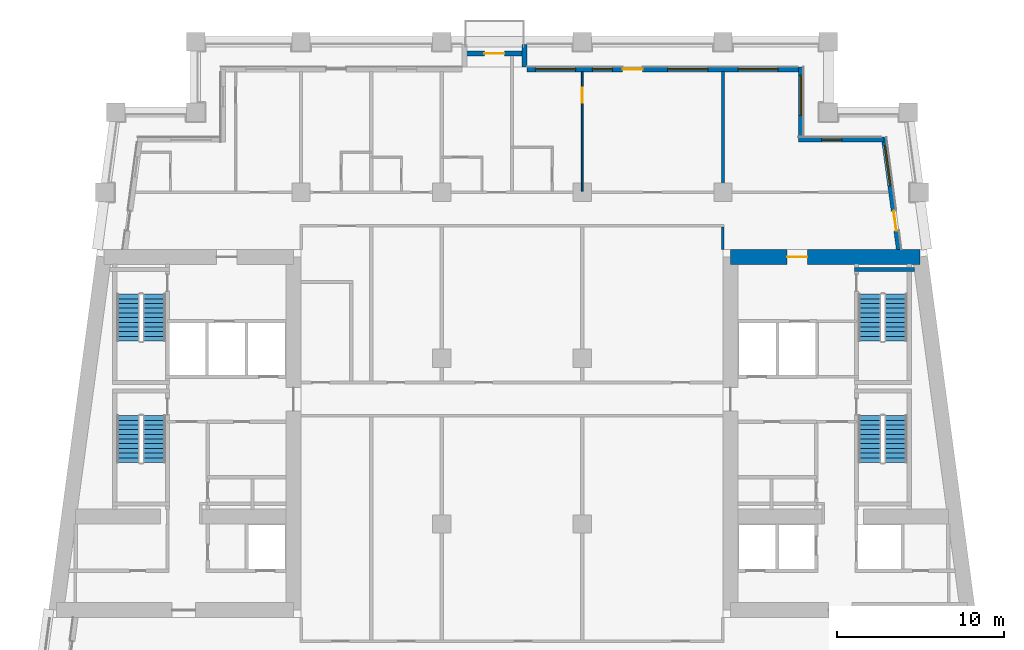
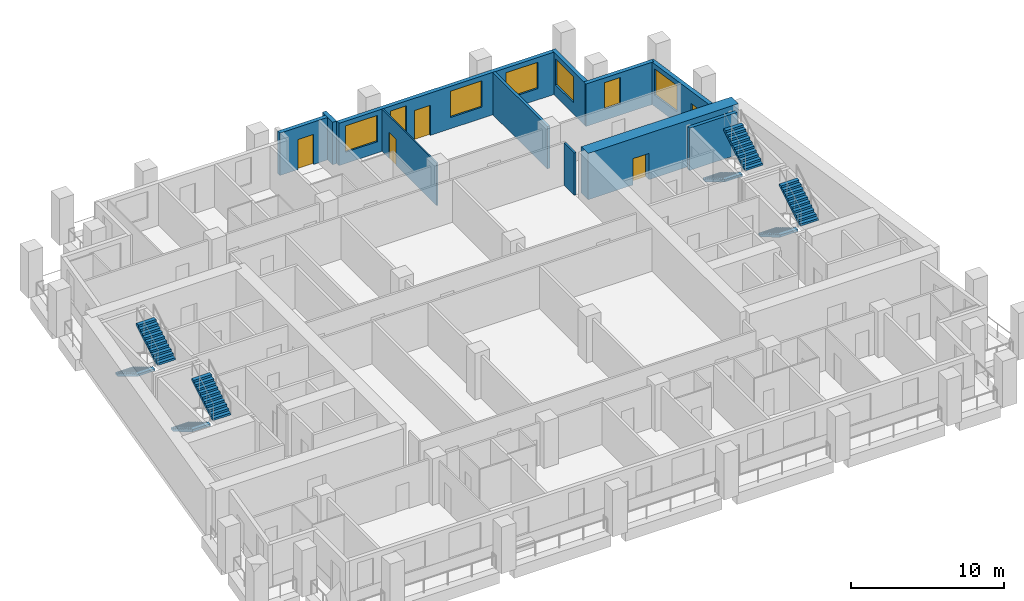
# One storey, part 7 of 12: 11 walls, 8 stair flights, 7 windows, 5 doors, 12 openings, 4 elements without a shape of their own.
"""IFC4 building model written with IfcOpenShell, lengths in metres."""

from ifc_helpers import new_model, si_unit, direction, frame, frame_2d, origin, place, context, subcontext, project, spatial, polyline, rectangle, outline, extrude, material, layer, layer_set, type_object, element, fill, aggregate, save


model = new_model("IFC4")

# Units and contexts
model_context = context("Model", 3, precision=1e-05, world=origin(), true_north=direction((0.0, 1.0)))
body_context = subcontext(model_context, "Body", "Model", "MODEL_VIEW")
ifc_project = project(units=[si_unit("LENGTHUNIT", "METRE"), si_unit("AREAUNIT", "SQUARE_METRE"), si_unit("VOLUMEUNIT", "CUBIC_METRE"), si_unit("PLANEANGLEUNIT", "RADIAN"), si_unit("MASSUNIT", "GRAM", prefix="KILO")], contexts=[model_context])

# Site, building, storey
site_placement = place(None, origin())
site = spatial("IfcSite", under=ifc_project, at=site_placement, CompositionType="ELEMENT")
building_placement = place(site_placement, origin())
building = spatial("IfcBuilding", under=site, at=building_placement, Name="Candeia Pilgrim Tower and Theatre", CompositionType="ELEMENT")
storey_placement = place(building_placement, frame((0.0, 0.0, 184.800048828125)))
storey = spatial("IfcBuildingStorey", under=building, at=storey_placement, Name="L44", CompositionType="ELEMENT", Elevation=184.800048828125)

# Wall, opening, door
ifc_material_1 = material(Name="Concrete C60/75", Category="concrete")
ifc_layer_1 = layer(ifc_material_1, 0.89990234375)
ifc_layer_set_1 = layer_set([ifc_layer_1], Name="Core wall 900 C60/75")
wall_type_1 = type_object("IfcWallType", Name="Core wall 900 C60/75", PredefinedType="SHEAR", material=ifc_layer_set_1)
wall_1_placement = place(storey_placement, frame((126.449951171875, 131.949951171875, 0.0), z_axis=(0.0, 0.0, 1.0), x_axis=(1.0, 0.0, 0.0)))
wall_1 = element("IfcWall", 1, at=wall_1_placement, inside=storey, type_object=wall_type_1, Name="Core wall E1", PredefinedType="SHEAR", context=body_context, shape_type="SweptSolid", body=[
    extrude(rectangle(XDim=11.32568359375, YDim=0.89990234375, at=frame_2d((5.662841796875, 0.0))), origin(), (0.0, 0.0, 1.0), 3.699951171875),
])
opening_1_placement = place(wall_1_placement, frame((3.386474609375, 0.0, 0.0)))
opening_1 = element("IfcOpeningElement", 2, at=opening_1_placement, cuts=wall_1, Name="Opening L44-D057", PredefinedType="OPENING", context=body_context, shape_type="SweptSolid", body=[
    extrude(rectangle(XDim=1.199951171875, YDim=2.10009765625, at=frame_2d((0.60009765625, 1.050048828125))), frame((0.0, 0.4599609375, 0.0), z_axis=(0.0, -1.0, 0.0), x_axis=(1.0, 0.0, 0.0)), (0.0, 0.0, 1.0), 0.919921875),
])
ifc_material_2 = material(Name="Steel fire door set", Category="steel")
door_type_1 = type_object("IfcDoorType", Name="D-1200-FD60", OperationType="NOTDEFINED", PredefinedType="DOOR", material=ifc_material_2)
door_1_placement = place(opening_1_placement, origin())
door_1 = element("IfcDoor", 3, at=door_1_placement, inside=storey, type_object=door_type_1, Name="Door L44-D057", OperationType="SINGLE_SWING_LEFT", OverallHeight=2.10009765625, OverallWidth=1.199951171875, PredefinedType="DOOR", context=body_context, shape_type="SweptSolid", body=[
    extrude(rectangle(XDim=1.199951171875, YDim=2.10009765625, at=frame_2d((0.60009765625, 1.050048828125))), frame((0.0, 0.02490234375, 0.0), z_axis=(0.0, -1.0, 0.0), x_axis=(1.0, 0.0, 0.0)), (0.0, 0.0, 1.0), 0.050048828125),
])
fill(opening_1, door_1)

# Wall, openings, door, window
ifc_material_3 = material(Name="Ceramic block masonry", Category="masonry")
ifc_layer_2 = layer(ifc_material_3, 0.300048828125)
ifc_layer_set_2 = layer_set([ifc_layer_2], Name="EW1 glazing-line wall 300")
wall_type_2 = type_object("IfcWallType", Name="EW1 glazing-line wall 300", PredefinedType="SOLIDWALL", material=ifc_layer_set_2)
wall_2_placement = place(storey_placement, frame((136.50439453125, 132.39990234375, 0.0), z_axis=(0.0, 0.0, 1.0), x_axis=(-0.133399697462, 0.99106231929, 0.0)))
wall_2 = element("IfcWall", 4, at=wall_2_placement, inside=storey, type_object=wall_type_2, Name="External wall L44-3.1", PredefinedType="SOLIDWALL", context=body_context, shape_type="SweptSolid", body=[
    extrude(rectangle(XDim=6.740478515625, YDim=0.300048828125, at=frame_2d((3.3701171875, 0.0))), origin(), (0.0, 0.0, 1.0), 3.3798828125),
])
opening_2_placement = place(wall_2_placement, frame((1.115234375, 0.0, 0.0)))
opening_2 = element("IfcOpeningElement", 5, at=opening_2_placement, cuts=wall_2, Name="Opening L44-ED423", PredefinedType="OPENING", context=body_context, shape_type="SweptSolid", body=[
    extrude(rectangle(XDim=1.199951171875, YDim=2.39990234375, at=frame_2d((0.60009765625, 1.199951171875))), frame((0.0, 0.16015625, 0.0), z_axis=(0.0, -1.0, 0.0), x_axis=(1.0, 0.0, 0.0)), (0.0, 0.0, 1.0), 0.320068359375),
])
opening_3_placement = place(wall_2_placement, frame((3.83544921875, 0.0, 0.89990234375)))
opening_3 = element("IfcOpeningElement", 6, at=opening_3_placement, cuts=wall_2, Name="Opening W-A", PredefinedType="OPENING", context=body_context, shape_type="SweptSolid", body=[
    extrude(rectangle(XDim=2.39990234375, YDim=2.10009765625, at=frame_2d((1.199951171875, 1.050048828125))), frame((0.0, 0.16015625, 0.0), z_axis=(0.0, -1.0, 0.0), x_axis=(1.0, 0.0, 0.0)), (0.0, 0.0, 1.0), 0.320068359375),
])
ifc_material_4 = material(Name="Aluminium framed glazed door", Category="aluminium")
door_type_2 = type_object("IfcDoorType", Name="Loggia door 1200x2400", OperationType="DOUBLE_DOOR_SINGLE_SWING", PredefinedType="DOOR", material=ifc_material_4)
door_2_placement = place(opening_2_placement, origin())
door_2 = element("IfcDoor", 7, at=door_2_placement, inside=storey, type_object=door_type_2, Name="Loggia door L44-ED423", OperationType="DOUBLE_DOOR_SINGLE_SWING", OverallHeight=2.39990234375, OverallWidth=1.199951171875, PredefinedType="DOOR", context=body_context, shape_type="SweptSolid", body=[
    extrude(rectangle(XDim=1.199951171875, YDim=2.39990234375, at=frame_2d((0.60009765625, 1.199951171875))), frame((0.0, 0.02490234375, 0.0), z_axis=(0.0, -1.0, 0.0), x_axis=(1.0, 0.0, 0.0)), (0.0, 0.0, 1.0), 0.050048828125),
])
fill(opening_2, door_2)
ifc_material_5 = material(Name="Aluminium framed double glazing", Category="aluminium")
window_type_1 = type_object("IfcWindowType", Name="W-A window 2400x2100", PartitioningType="DOUBLE_PANEL_VERTICAL", PredefinedType="WINDOW", material=ifc_material_5)
window_1_placement = place(opening_3_placement, origin())
window_1 = element("IfcWindow", 8, at=window_1_placement, inside=storey, type_object=window_type_1, Name="Window W-A L44", OverallHeight=2.10009765625, OverallWidth=2.39990234375, PartitioningType="SINGLE_PANEL", PredefinedType="WINDOW", context=body_context, shape_type="SweptSolid", body=[
    extrude(rectangle(XDim=2.39990234375, YDim=2.10009765625, at=frame_2d((1.199951171875, 1.050048828125))), frame((0.0, 0.030029296875, 0.0), z_axis=(0.0, -1.0, 0.0), x_axis=(1.0, 0.0, 0.0)), (0.0, 0.0, 1.0), 0.06005859375),
])
fill(opening_3, window_1)

# Wall, opening, window
wall_3_placement = place(storey_placement, frame((135.62255859375, 138.949951171875, 0.0), z_axis=(0.0, 0.0, 1.0), x_axis=(-1.0, 0.0, 0.0)))
wall_3 = element("IfcWall", 9, at=wall_3_placement, inside=storey, type_object=wall_type_2, Name="External wall L44-4.0", PredefinedType="SOLIDWALL", context=body_context, shape_type="SweptSolid", body=[
    extrude(rectangle(XDim=5.12255859375, YDim=0.300048828125, at=frame_2d((2.561279296875, 0.0))), origin(), (0.0, 0.0, 1.0), 3.3798828125),
])
opening_4_placement = place(wall_3_placement, frame((2.522705078125, 0.0, 0.89990234375)))
opening_4 = element("IfcOpeningElement", 10, at=opening_4_placement, cuts=wall_3, Name="Opening W-B", PredefinedType="OPENING", context=body_context, shape_type="SweptSolid", body=[
    extrude(rectangle(XDim=1.199951171875, YDim=2.10009765625, at=frame_2d((0.60009765625, 1.050048828125))), frame((0.0, 0.16015625, 0.0), z_axis=(0.0, -1.0, 0.0), x_axis=(1.0, 0.0, 0.0)), (0.0, 0.0, 1.0), 0.320068359375),
])
window_type_2 = type_object("IfcWindowType", Name="W-B window 1200x2100", PartitioningType="SINGLE_PANEL", PredefinedType="WINDOW", material=ifc_material_5)
window_2_placement = place(opening_4_placement, origin())
window_2 = element("IfcWindow", 11, at=window_2_placement, inside=storey, type_object=window_type_2, Name="Window W-B L44", OverallHeight=2.10009765625, OverallWidth=1.199951171875, PartitioningType="SINGLE_PANEL", PredefinedType="WINDOW", context=body_context, shape_type="SweptSolid", body=[
    extrude(rectangle(XDim=1.199951171875, YDim=2.10009765625, at=frame_2d((0.60009765625, 1.050048828125))), frame((0.0, 0.030029296875, 0.0), z_axis=(0.0, -1.0, 0.0), x_axis=(1.0, 0.0, 0.0)), (0.0, 0.0, 1.0), 0.06005859375),
])
fill(opening_4, window_2)

wall_4_placement = place(storey_placement, frame((130.64990234375, 138.949951171875, 0.0), z_axis=(0.0, 0.0, 1.0), x_axis=(0.0, 1.0, 0.0)))
wall_4 = element("IfcWall", 12, at=wall_4_placement, inside=storey, type_object=wall_type_2, Name="External wall L44-5.0", PredefinedType="SOLIDWALL", context=body_context, shape_type="SweptSolid", body=[
    extrude(rectangle(XDim=4.35009765625, YDim=0.300048828125, at=frame_2d((2.175048828125, 0.0))), origin(), (0.0, 0.0, 1.0), 3.3798828125),
])
opening_5_placement = place(wall_4_placement, frame((1.449951171875, 0.0, 0.89990234375)))
opening_5 = element("IfcOpeningElement", 13, at=opening_5_placement, cuts=wall_4, Name="Opening W-A", PredefinedType="OPENING", context=body_context, shape_type="SweptSolid", body=[
    extrude(rectangle(XDim=2.39990234375, YDim=2.10009765625, at=frame_2d((1.199951171875, 1.050048828125))), frame((0.0, 0.16015625, 0.0), z_axis=(0.0, -1.0, 0.0), x_axis=(1.0, 0.0, 0.0)), (0.0, 0.0, 1.0), 0.320068359375),
])
window_3_placement = place(opening_5_placement, origin())
window_3 = element("IfcWindow", 14, at=window_3_placement, inside=storey, type_object=window_type_1, Name="Window W-A L44", OverallHeight=2.10009765625, OverallWidth=2.39990234375, PartitioningType="SINGLE_PANEL", PredefinedType="WINDOW", context=body_context, shape_type="SweptSolid", body=[
    extrude(rectangle(XDim=2.39990234375, YDim=2.10009765625, at=frame_2d((1.199951171875, 1.050048828125))), frame((0.0, 0.030029296875, 0.0), z_axis=(0.0, -1.0, 0.0), x_axis=(1.0, 0.0, 0.0)), (0.0, 0.0, 1.0), 0.06005859375),
])
fill(opening_5, window_3)

# Wall, openings, door, windows
wall_5_placement = place(storey_placement, frame((130.64990234375, 143.14990234375, 0.0), z_axis=(0.0, 0.0, 1.0), x_axis=(-1.0, 0.0, 0.0)))
wall_5 = element("IfcWall", 15, at=wall_5_placement, inside=storey, type_object=wall_type_2, Name="External wall L44-6.0", PredefinedType="SOLIDWALL", context=body_context, shape_type="SweptSolid", body=[
    extrude(rectangle(XDim=16.349853515625, YDim=0.300048828125, at=frame_2d((8.1748046875, 0.0))), origin(), (0.0, 0.0, 1.0), 3.3798828125),
])
opening_6_placement = place(wall_5_placement, frame((1.35009765625, 0.0, 0.89990234375)))
opening_6 = element("IfcOpeningElement", 16, at=opening_6_placement, cuts=wall_5, Name="Opening W-A", PredefinedType="OPENING", context=body_context, shape_type="SweptSolid", body=[
    extrude(rectangle(XDim=2.39990234375, YDim=2.10009765625, at=frame_2d((1.199951171875, 1.050048828125))), frame((0.0, 0.16015625, 0.0), z_axis=(0.0, -1.0, 0.0), x_axis=(1.0, 0.0, 0.0)), (0.0, 0.0, 1.0), 0.320068359375),
])
opening_7_placement = place(wall_5_placement, frame((5.550048828125, 0.0, 0.89990234375)))
opening_7 = element("IfcOpeningElement", 17, at=opening_7_placement, cuts=wall_5, Name="Opening W-A", PredefinedType="OPENING", context=body_context, shape_type="SweptSolid", body=[
    extrude(rectangle(XDim=2.39990234375, YDim=2.10009765625, at=frame_2d((1.199951171875, 1.050048828125))), frame((0.0, 0.16015625, 0.0), z_axis=(0.0, -1.0, 0.0), x_axis=(1.0, 0.0, 0.0)), (0.0, 0.0, 1.0), 0.320068359375),
])
opening_8_placement = place(wall_5_placement, frame((9.449951171875, 0.0, 0.0)))
opening_8 = element("IfcOpeningElement", 18, at=opening_8_placement, cuts=wall_5, Name="Opening L44-ED424", PredefinedType="OPENING", context=body_context, shape_type="SweptSolid", body=[
    extrude(rectangle(XDim=1.199951171875, YDim=2.39990234375, at=frame_2d((0.60009765625, 1.199951171875))), frame((0.0, 0.16015625, 0.0), z_axis=(0.0, -1.0, 0.0), x_axis=(1.0, 0.0, 0.0)), (0.0, 0.0, 1.0), 0.320068359375),
])
opening_9_placement = place(wall_5_placement, frame((11.25, 0.0, 0.89990234375)))
opening_9 = element("IfcOpeningElement", 19, at=opening_9_placement, cuts=wall_5, Name="Opening W-B", PredefinedType="OPENING", context=body_context, shape_type="SweptSolid", body=[
    extrude(rectangle(XDim=1.199951171875, YDim=2.10009765625, at=frame_2d((0.60009765625, 1.050048828125))), frame((0.0, 0.16015625, 0.0), z_axis=(0.0, -1.0, 0.0), x_axis=(1.0, 0.0, 0.0)), (0.0, 0.0, 1.0), 0.320068359375),
])
opening_10_placement = place(wall_5_placement, frame((13.449951171875, 0.0, 0.89990234375)))
opening_10 = element("IfcOpeningElement", 20, at=opening_10_placement, cuts=wall_5, Name="Opening W-A", PredefinedType="OPENING", context=body_context, shape_type="SweptSolid", body=[
    extrude(rectangle(XDim=2.39990234375, YDim=2.10009765625, at=frame_2d((1.199951171875, 1.050048828125))), frame((0.0, 0.16015625, 0.0), z_axis=(0.0, -1.0, 0.0), x_axis=(1.0, 0.0, 0.0)), (0.0, 0.0, 1.0), 0.320068359375),
])
door_3_placement = place(opening_8_placement, origin())
door_3 = element("IfcDoor", 21, at=door_3_placement, inside=storey, type_object=door_type_2, Name="Loggia door L44-ED424", OperationType="DOUBLE_DOOR_SINGLE_SWING", OverallHeight=2.39990234375, OverallWidth=1.199951171875, PredefinedType="DOOR", context=body_context, shape_type="SweptSolid", body=[
    extrude(rectangle(XDim=1.199951171875, YDim=2.39990234375, at=frame_2d((0.60009765625, 1.199951171875))), frame((0.0, 0.02490234375, 0.0), z_axis=(0.0, -1.0, 0.0), x_axis=(1.0, 0.0, 0.0)), (0.0, 0.0, 1.0), 0.050048828125),
])
fill(opening_8, door_3)
window_4_placement = place(opening_6_placement, origin())
window_4 = element("IfcWindow", 22, at=window_4_placement, inside=storey, type_object=window_type_1, Name="Window W-A L44", OverallHeight=2.10009765625, OverallWidth=2.39990234375, PartitioningType="SINGLE_PANEL", PredefinedType="WINDOW", context=body_context, shape_type="SweptSolid", body=[
    extrude(rectangle(XDim=2.39990234375, YDim=2.10009765625, at=frame_2d((1.199951171875, 1.050048828125))), frame((0.0, 0.030029296875, 0.0), z_axis=(0.0, -1.0, 0.0), x_axis=(1.0, 0.0, 0.0)), (0.0, 0.0, 1.0), 0.06005859375),
])
fill(opening_6, window_4)
window_5_placement = place(opening_7_placement, origin())
window_5 = element("IfcWindow", 23, at=window_5_placement, inside=storey, type_object=window_type_1, Name="Window W-A L44", OverallHeight=2.10009765625, OverallWidth=2.39990234375, PartitioningType="SINGLE_PANEL", PredefinedType="WINDOW", context=body_context, shape_type="SweptSolid", body=[
    extrude(rectangle(XDim=2.39990234375, YDim=2.10009765625, at=frame_2d((1.199951171875, 1.050048828125))), frame((0.0, 0.030029296875, 0.0), z_axis=(0.0, -1.0, 0.0), x_axis=(1.0, 0.0, 0.0)), (0.0, 0.0, 1.0), 0.06005859375),
])
fill(opening_7, window_5)
window_6_placement = place(opening_10_placement, origin())
window_6 = element("IfcWindow", 24, at=window_6_placement, inside=storey, type_object=window_type_1, Name="Window W-A L44", OverallHeight=2.10009765625, OverallWidth=2.39990234375, PartitioningType="SINGLE_PANEL", PredefinedType="WINDOW", context=body_context, shape_type="SweptSolid", body=[
    extrude(rectangle(XDim=2.39990234375, YDim=2.10009765625, at=frame_2d((1.199951171875, 1.050048828125))), frame((0.0, 0.030029296875, 0.0), z_axis=(0.0, -1.0, 0.0), x_axis=(1.0, 0.0, 0.0)), (0.0, 0.0, 1.0), 0.06005859375),
])
fill(opening_10, window_6)
window_7_placement = place(opening_9_placement, origin())
window_7 = element("IfcWindow", 25, at=window_7_placement, inside=storey, type_object=window_type_2, Name="Window W-B L44", OverallHeight=2.10009765625, OverallWidth=1.199951171875, PartitioningType="SINGLE_PANEL", PredefinedType="WINDOW", context=body_context, shape_type="SweptSolid", body=[
    extrude(rectangle(XDim=1.199951171875, YDim=2.10009765625, at=frame_2d((0.60009765625, 1.050048828125))), frame((0.0, 0.030029296875, 0.0), z_axis=(0.0, -1.0, 0.0), x_axis=(1.0, 0.0, 0.0)), (0.0, 0.0, 1.0), 0.06005859375),
])
fill(opening_9, window_7)

# Wall
ifc_layer_3 = layer(ifc_material_3, 0.300048828125)
ifc_layer_set_3 = layer_set([ifc_layer_3], Name="EW2 entrance infill wall 300")
wall_type_3 = type_object("IfcWallType", Name="EW2 entrance infill wall 300", PredefinedType="SOLIDWALL", material=ifc_layer_set_3)
wall_6_placement = place(storey_placement, frame((114.14990234375, 143.300048828125, 0.0), z_axis=(0.0, 0.0, 1.0), x_axis=(0.0, 1.0, 0.0)))
element("IfcWall", 26, at=wall_6_placement, inside=storey, type_object=wall_type_3, Name="Alcove wall L44", PredefinedType="SOLIDWALL", context=body_context, shape_type="SweptSolid", body=[
    extrude(rectangle(XDim=1.349853515625, YDim=0.300048828125, at=frame_2d((0.6748046875, 0.0))), origin(), (0.0, 0.0, 1.0), 3.3798828125),
])

# Wall, opening, door
wall_7_placement = place(storey_placement, frame((114.300048828125, 144.10009765625, 0.0), z_axis=(0.0, 0.0, 1.0), x_axis=(-1.0, 0.0, 0.0)))
wall_7 = element("IfcWall", 27, at=wall_7_placement, inside=storey, type_object=wall_type_3, Name="Alcove wall L44", PredefinedType="SOLIDWALL", context=body_context, shape_type="SweptSolid", body=[
    extrude(rectangle(XDim=3.900146484375, YDim=0.300048828125, at=frame_2d((1.9501953125, 0.0))), origin(), (0.0, 0.0, 1.0), 3.3798828125),
])
opening_11_placement = place(wall_7_placement, frame((1.35009765625, 0.0, 0.0)))
opening_11 = element("IfcOpeningElement", 28, at=opening_11_placement, cuts=wall_7, Name="Opening L44-ED426", PredefinedType="OPENING", context=body_context, shape_type="SweptSolid", body=[
    extrude(rectangle(XDim=1.199951171875, YDim=2.39990234375, at=frame_2d((0.60009765625, 1.199951171875))), frame((0.0, 0.16015625, 0.0), z_axis=(0.0, -1.0, 0.0), x_axis=(1.0, 0.0, 0.0)), (0.0, 0.0, 1.0), 0.320068359375),
])
door_4_placement = place(opening_11_placement, origin())
door_4 = element("IfcDoor", 29, at=door_4_placement, inside=storey, type_object=door_type_2, Name="Balcony door L44-ED426", OperationType="DOUBLE_DOOR_SINGLE_SWING", OverallHeight=2.39990234375, OverallWidth=1.199951171875, PredefinedType="DOOR", context=body_context, shape_type="SweptSolid", body=[
    extrude(rectangle(XDim=1.199951171875, YDim=2.39990234375, at=frame_2d((0.60009765625, 1.199951171875))), frame((0.0, 0.02490234375, 0.0), z_axis=(0.0, -1.0, 0.0), x_axis=(1.0, 0.0, 0.0)), (0.0, 0.0, 1.0), 0.050048828125),
])
fill(opening_11, door_4)

ifc_material_6 = material(Name="Gypsum board partition on steel studs", Category="steel")
ifc_layer_4 = layer(ifc_material_6, 0.10009765625)
ifc_layer_set_4 = layer_set([ifc_layer_4], Name="PW-100 room partition")
wall_type_4 = type_object("IfcWallType", Name="PW-100 room partition", PredefinedType="PARTITIONING", material=ifc_layer_set_4)
wall_8_placement = place(storey_placement, frame((117.60009765625, 135.875, 0.0), z_axis=(0.0, 0.0, 1.0), x_axis=(0.0, 1.0, 0.0)))
wall_8 = element("IfcWall", 30, at=wall_8_placement, inside=storey, type_object=wall_type_4, Name="Room partition L44-087", PredefinedType="PARTITIONING", context=body_context, shape_type="SweptSolid", body=[
    extrude(rectangle(XDim=7.135009765625, YDim=0.10009765625, at=frame_2d((3.5673828125, 0.0))), origin(), (0.0, 0.0, 1.0), 3.3798828125),
])
opening_12_placement = place(wall_8_placement, frame((5.2900390625, 0.0, 0.0)))
opening_12 = element("IfcOpeningElement", 31, at=opening_12_placement, cuts=wall_8, Name="Opening L44-D041", PredefinedType="OPENING", context=body_context, shape_type="SweptSolid", body=[
    extrude(rectangle(XDim=0.89990234375, YDim=2.10009765625, at=frame_2d((0.449951171875, 1.050048828125))), frame((0.0, 0.06005859375, 0.0), z_axis=(0.0, -1.0, 0.0), x_axis=(1.0, 0.0, 0.0)), (0.0, 0.0, 1.0), 0.1201171875),
])
ifc_material_7 = material(Name="Timber door leaf", Category="wood")
door_type_3 = type_object("IfcDoorType", Name="D-900", OperationType="NOTDEFINED", PredefinedType="DOOR", material=ifc_material_7)
door_5_placement = place(opening_12_placement, origin())
door_5 = element("IfcDoor", 32, at=door_5_placement, inside=storey, type_object=door_type_3, Name="Door L44-D041", OperationType="SINGLE_SWING_LEFT", OverallHeight=2.10009765625, OverallWidth=0.89990234375, PredefinedType="DOOR", context=body_context, shape_type="SweptSolid", body=[
    extrude(rectangle(XDim=0.89990234375, YDim=2.10009765625, at=frame_2d((0.449951171875, 1.050048828125))), frame((0.0, 0.02490234375, 0.0), z_axis=(0.0, -1.0, 0.0), x_axis=(1.0, 0.0, 0.0)), (0.0, 0.0, 1.0), 0.050048828125),
])
fill(opening_12, door_5)

# Walls
ifc_layer_5 = layer(ifc_material_6, 0.14990234375)
ifc_layer_set_5 = layer_set([ifc_layer_5], Name="PW-150 unit wall")
wall_type_5 = type_object("IfcWallType", Name="PW-150 unit wall", PredefinedType="PARTITIONING", material=ifc_layer_set_5)
wall_9_placement = place(storey_placement, frame((126.0, 132.39990234375, 0.0), z_axis=(0.0, 0.0, 1.0), x_axis=(0.0, 1.0, 0.0)))
element("IfcWall", 33, at=wall_9_placement, inside=storey, type_object=wall_type_5, Name="Unit wall L44-097", PredefinedType="PARTITIONING", context=body_context, shape_type="SweptSolid", body=[
    extrude(rectangle(XDim=1.3251953125, YDim=0.14990234375, at=frame_2d((0.66259765625, 0.0))), origin(), (0.0, 0.0, 1.0), 3.3798828125),
])
ifc_layer_6 = layer(ifc_material_6, 0.199951171875)
ifc_layer_set_6 = layer_set([ifc_layer_6], Name="PW-200 party wall")
wall_type_6 = type_object("IfcWallType", Name="PW-200 party wall", PredefinedType="PARTITIONING", material=ifc_layer_set_6)
wall_10_placement = place(storey_placement, frame((126.0, 135.875, 0.0), z_axis=(0.0, 0.0, 1.0), x_axis=(0.0, 1.0, 0.0)))
element("IfcWall", 34, at=wall_10_placement, inside=storey, type_object=wall_type_6, Name="Party wall L44-095", PredefinedType="PARTITIONING", context=body_context, shape_type="SweptSolid", body=[
    extrude(rectangle(XDim=7.135009765625, YDim=0.199951171875, at=frame_2d((3.5673828125, 0.0))), origin(), (0.0, 0.0, 1.0), 3.3798828125),
])
ifc_material_8 = material(Name="Concrete C40/50", Category="concrete")
ifc_layer_7 = layer(ifc_material_8, 0.25)
ifc_layer_set_7 = layer_set([ifc_layer_7], Name="SW-250 stair wall")
wall_type_7 = type_object("IfcWallType", Name="SW-250 stair wall", PredefinedType="PARTITIONING", material=ifc_layer_set_7)
wall_11_placement = place(storey_placement, frame((133.847900390625, 131.199951171875, 0.0), z_axis=(0.0, 0.0, 1.0), x_axis=(1.0, 0.0, 0.0)))
element("IfcWall", 35, at=wall_11_placement, inside=storey, type_object=wall_type_7, Name="Stair wall L44-039", PredefinedType="PARTITIONING", context=body_context, shape_type="SweptSolid", body=[
    extrude(rectangle(XDim=3.604736328125, YDim=0.25, at=frame_2d((1.80224609375, 0.0))), origin(), (0.0, 0.0, 1.0), 3.3798828125),
])

# Stair, stair flights
stair_type = type_object("IfcStairType", Name="ST-TWR dog-leg escape stair", PredefinedType="HALF_TURN_STAIR", material=ifc_material_8)
stair_1_placement = place(storey_placement, origin())
stair_1 = element("IfcStair", 36, at=stair_1_placement, inside=storey, type_object=stair_type, Name="L44 Escape stair ST1", PredefinedType="HALF_TURN_STAIR")
stair_flight_type = type_object("IfcStairFlightType", Name="SFL-RC stair flight", PredefinedType="STRAIGHT", material=ifc_material_8)
stair_flight_1_placement = place(storey_placement, frame((90.47705078125, 122.47509765625, 0.0), z_axis=(0.0, 0.0, 1.0), x_axis=(0.0, -1.0, 0.0)))
stair_flight_1 = element("IfcStairFlight", 37, at=stair_flight_1_placement, type_object=stair_flight_type, Name="ST1 flight 1", NumberOfRisers=11, NumberOfTreads=10, PredefinedType="STRAIGHT", RiserHeight=0.168181818, TreadLength=0.28, context=body_context, shape_type="SweptSolid", body=[
    extrude(outline(polyline([(0.0, 0.0), (0.0, 0.168212890625), (0.280029296875, 0.168212890625), (0.280029296875, 0.33642578125), (0.56005859375, 0.33642578125), (0.56005859375, 0.504638671875), (0.840087890625, 0.504638671875), (0.840087890625, 0.672607421875), (1.1201171875, 0.672607421875), (1.1201171875, 0.8408203125), (1.39990234375, 0.8408203125), (1.39990234375, 1.009033203125), (1.679931640625, 1.009033203125), (1.679931640625, 1.17724609375), (1.9599609375, 1.17724609375), (1.9599609375, 1.345458984375), (2.239990234375, 1.345458984375), (2.239990234375, 1.513671875), (2.52001953125, 1.513671875), (2.52001953125, 1.681884765625), (2.800048828125, 1.681884765625), (2.800048828125, 1.85009765625), (2.800048828125, 1.5068359375), (0.291015625, 0.0), (0.0, 0.0)])), frame((0.0, 0.675048828125, 0.0), z_axis=(0.0, -1.0, 0.0), x_axis=(1.0, 0.0, 0.0)), (0.0, 0.0, 1.0), 1.35009765625),
])
stair_flight_2_placement = place(storey_placement, frame((92.027099609375, 119.675048828125, 1.849853515625), z_axis=(0.0, 0.0, 1.0), x_axis=(0.0, 1.0, 0.0)))
stair_flight_2 = element("IfcStairFlight", 38, at=stair_flight_2_placement, type_object=stair_flight_type, Name="ST1 flight 2", NumberOfRisers=11, NumberOfTreads=10, PredefinedType="STRAIGHT", RiserHeight=0.168181818, TreadLength=0.28, context=body_context, shape_type="SweptSolid", body=[
    extrude(outline(polyline([(0.0, 0.0), (0.0, 0.168212890625), (0.280029296875, 0.168212890625), (0.280029296875, 0.33642578125), (0.56005859375, 0.33642578125), (0.56005859375, 0.504638671875), (0.840087890625, 0.504638671875), (0.840087890625, 0.672607421875), (1.1201171875, 0.672607421875), (1.1201171875, 0.8408203125), (1.39990234375, 0.8408203125), (1.39990234375, 1.009033203125), (1.679931640625, 1.009033203125), (1.679931640625, 1.17724609375), (1.9599609375, 1.17724609375), (1.9599609375, 1.345458984375), (2.239990234375, 1.345458984375), (2.239990234375, 1.513671875), (2.52001953125, 1.513671875), (2.52001953125, 1.681884765625), (2.800048828125, 1.681884765625), (2.800048828125, 1.85009765625), (2.800048828125, 1.5068359375), (0.291015625, 0.0), (0.0, 0.0)])), frame((0.0, 0.675048828125, 0.0), z_axis=(0.0, -1.0, 0.0), x_axis=(1.0, 0.0, 0.0)), (0.0, 0.0, 1.0), 1.35009765625),
])
aggregate(stair_1, [stair_flight_1, stair_flight_2])

stair_2_placement = place(storey_placement, origin())
stair_2 = element("IfcStair", 39, at=stair_2_placement, inside=storey, type_object=stair_type, Name="L44 Escape stair ST2", PredefinedType="HALF_TURN_STAIR")
stair_flight_3_placement = place(storey_placement, frame((90.47705078125, 129.72509765625, 0.0), z_axis=(0.0, 0.0, 1.0), x_axis=(0.0, -1.0, 0.0)))
stair_flight_3 = element("IfcStairFlight", 40, at=stair_flight_3_placement, type_object=stair_flight_type, Name="ST2 flight 1", NumberOfRisers=11, NumberOfTreads=10, PredefinedType="STRAIGHT", RiserHeight=0.168181818, TreadLength=0.28, context=body_context, shape_type="SweptSolid", body=[
    extrude(outline(polyline([(0.0, 0.0), (0.0, 0.168212890625), (0.280029296875, 0.168212890625), (0.280029296875, 0.33642578125), (0.56005859375, 0.33642578125), (0.56005859375, 0.504638671875), (0.840087890625, 0.504638671875), (0.840087890625, 0.672607421875), (1.1201171875, 0.672607421875), (1.1201171875, 0.8408203125), (1.39990234375, 0.8408203125), (1.39990234375, 1.009033203125), (1.679931640625, 1.009033203125), (1.679931640625, 1.17724609375), (1.9599609375, 1.17724609375), (1.9599609375, 1.345458984375), (2.239990234375, 1.345458984375), (2.239990234375, 1.513671875), (2.52001953125, 1.513671875), (2.52001953125, 1.681884765625), (2.800048828125, 1.681884765625), (2.800048828125, 1.85009765625), (2.800048828125, 1.5068359375), (0.291015625, 0.0), (0.0, 0.0)])), frame((0.0, 0.675048828125, 0.0), z_axis=(0.0, -1.0, 0.0), x_axis=(1.0, 0.0, 0.0)), (0.0, 0.0, 1.0), 1.35009765625),
])
stair_flight_4_placement = place(storey_placement, frame((92.027099609375, 126.925048828125, 1.849853515625), z_axis=(0.0, 0.0, 1.0), x_axis=(0.0, 1.0, 0.0)))
stair_flight_4 = element("IfcStairFlight", 41, at=stair_flight_4_placement, type_object=stair_flight_type, Name="ST2 flight 2", NumberOfRisers=11, NumberOfTreads=10, PredefinedType="STRAIGHT", RiserHeight=0.168181818, TreadLength=0.28, context=body_context, shape_type="SweptSolid", body=[
    extrude(outline(polyline([(0.0, 0.0), (0.0, 0.168212890625), (0.280029296875, 0.168212890625), (0.280029296875, 0.33642578125), (0.56005859375, 0.33642578125), (0.56005859375, 0.504638671875), (0.840087890625, 0.504638671875), (0.840087890625, 0.672607421875), (1.1201171875, 0.672607421875), (1.1201171875, 0.8408203125), (1.39990234375, 0.8408203125), (1.39990234375, 1.009033203125), (1.679931640625, 1.009033203125), (1.679931640625, 1.17724609375), (1.9599609375, 1.17724609375), (1.9599609375, 1.345458984375), (2.239990234375, 1.345458984375), (2.239990234375, 1.513671875), (2.52001953125, 1.513671875), (2.52001953125, 1.681884765625), (2.800048828125, 1.681884765625), (2.800048828125, 1.85009765625), (2.800048828125, 1.5068359375), (0.291015625, 0.0), (0.0, 0.0)])), frame((0.0, 0.675048828125, 0.0), z_axis=(0.0, -1.0, 0.0), x_axis=(1.0, 0.0, 0.0)), (0.0, 0.0, 1.0), 1.35009765625),
])
aggregate(stair_2, [stair_flight_3, stair_flight_4])

stair_3_placement = place(storey_placement, origin())
stair_3 = element("IfcStair", 42, at=stair_3_placement, inside=storey, type_object=stair_type, Name="L44 Escape stair ST3", PredefinedType="HALF_TURN_STAIR")
stair_flight_5_placement = place(storey_placement, frame((134.77294921875, 122.47509765625, 0.0), z_axis=(0.0, 0.0, 1.0), x_axis=(0.0, -1.0, 0.0)))
stair_flight_5 = element("IfcStairFlight", 43, at=stair_flight_5_placement, type_object=stair_flight_type, Name="ST3 flight 1", NumberOfRisers=11, NumberOfTreads=10, PredefinedType="STRAIGHT", RiserHeight=0.168181818, TreadLength=0.28, context=body_context, shape_type="SweptSolid", body=[
    extrude(outline(polyline([(0.0, 0.0), (0.0, 0.168212890625), (0.280029296875, 0.168212890625), (0.280029296875, 0.33642578125), (0.56005859375, 0.33642578125), (0.56005859375, 0.504638671875), (0.840087890625, 0.504638671875), (0.840087890625, 0.672607421875), (1.1201171875, 0.672607421875), (1.1201171875, 0.8408203125), (1.39990234375, 0.8408203125), (1.39990234375, 1.009033203125), (1.679931640625, 1.009033203125), (1.679931640625, 1.17724609375), (1.9599609375, 1.17724609375), (1.9599609375, 1.345458984375), (2.239990234375, 1.345458984375), (2.239990234375, 1.513671875), (2.52001953125, 1.513671875), (2.52001953125, 1.681884765625), (2.800048828125, 1.681884765625), (2.800048828125, 1.85009765625), (2.800048828125, 1.5068359375), (0.291015625, 0.0), (0.0, 0.0)])), frame((0.0, 0.675048828125, 0.0), z_axis=(0.0, -1.0, 0.0), x_axis=(1.0, 0.0, 0.0)), (0.0, 0.0, 1.0), 1.35009765625),
])
stair_flight_6_placement = place(storey_placement, frame((136.322998046875, 119.675048828125, 1.849853515625), z_axis=(0.0, 0.0, 1.0), x_axis=(0.0, 1.0, 0.0)))
stair_flight_6 = element("IfcStairFlight", 44, at=stair_flight_6_placement, type_object=stair_flight_type, Name="ST3 flight 2", NumberOfRisers=11, NumberOfTreads=10, PredefinedType="STRAIGHT", RiserHeight=0.168181818, TreadLength=0.28, context=body_context, shape_type="SweptSolid", body=[
    extrude(outline(polyline([(0.0, 0.0), (0.0, 0.168212890625), (0.280029296875, 0.168212890625), (0.280029296875, 0.33642578125), (0.56005859375, 0.33642578125), (0.56005859375, 0.504638671875), (0.840087890625, 0.504638671875), (0.840087890625, 0.672607421875), (1.1201171875, 0.672607421875), (1.1201171875, 0.8408203125), (1.39990234375, 0.8408203125), (1.39990234375, 1.009033203125), (1.679931640625, 1.009033203125), (1.679931640625, 1.17724609375), (1.9599609375, 1.17724609375), (1.9599609375, 1.345458984375), (2.239990234375, 1.345458984375), (2.239990234375, 1.513671875), (2.52001953125, 1.513671875), (2.52001953125, 1.681884765625), (2.800048828125, 1.681884765625), (2.800048828125, 1.85009765625), (2.800048828125, 1.5068359375), (0.291015625, 0.0), (0.0, 0.0)])), frame((0.0, 0.675048828125, 0.0), z_axis=(0.0, -1.0, 0.0), x_axis=(1.0, 0.0, 0.0)), (0.0, 0.0, 1.0), 1.35009765625),
])
aggregate(stair_3, [stair_flight_5, stair_flight_6])

stair_4_placement = place(storey_placement, origin())
stair_4 = element("IfcStair", 45, at=stair_4_placement, inside=storey, type_object=stair_type, Name="L44 Escape stair ST4", PredefinedType="HALF_TURN_STAIR")
stair_flight_7_placement = place(storey_placement, frame((134.77294921875, 129.72509765625, 0.0), z_axis=(0.0, 0.0, 1.0), x_axis=(0.0, -1.0, 0.0)))
stair_flight_7 = element("IfcStairFlight", 46, at=stair_flight_7_placement, type_object=stair_flight_type, Name="ST4 flight 1", NumberOfRisers=11, NumberOfTreads=10, PredefinedType="STRAIGHT", RiserHeight=0.168181818, TreadLength=0.28, context=body_context, shape_type="SweptSolid", body=[
    extrude(outline(polyline([(0.0, 0.0), (0.0, 0.168212890625), (0.280029296875, 0.168212890625), (0.280029296875, 0.33642578125), (0.56005859375, 0.33642578125), (0.56005859375, 0.504638671875), (0.840087890625, 0.504638671875), (0.840087890625, 0.672607421875), (1.1201171875, 0.672607421875), (1.1201171875, 0.8408203125), (1.39990234375, 0.8408203125), (1.39990234375, 1.009033203125), (1.679931640625, 1.009033203125), (1.679931640625, 1.17724609375), (1.9599609375, 1.17724609375), (1.9599609375, 1.345458984375), (2.239990234375, 1.345458984375), (2.239990234375, 1.513671875), (2.52001953125, 1.513671875), (2.52001953125, 1.681884765625), (2.800048828125, 1.681884765625), (2.800048828125, 1.85009765625), (2.800048828125, 1.5068359375), (0.291015625, 0.0), (0.0, 0.0)])), frame((0.0, 0.675048828125, 0.0), z_axis=(0.0, -1.0, 0.0), x_axis=(1.0, 0.0, 0.0)), (0.0, 0.0, 1.0), 1.35009765625),
])
stair_flight_8_placement = place(storey_placement, frame((136.322998046875, 126.925048828125, 1.849853515625), z_axis=(0.0, 0.0, 1.0), x_axis=(0.0, 1.0, 0.0)))
stair_flight_8 = element("IfcStairFlight", 47, at=stair_flight_8_placement, type_object=stair_flight_type, Name="ST4 flight 2", NumberOfRisers=11, NumberOfTreads=10, PredefinedType="STRAIGHT", RiserHeight=0.168181818, TreadLength=0.28, context=body_context, shape_type="SweptSolid", body=[
    extrude(outline(polyline([(0.0, 0.0), (0.0, 0.168212890625), (0.280029296875, 0.168212890625), (0.280029296875, 0.33642578125), (0.56005859375, 0.33642578125), (0.56005859375, 0.504638671875), (0.840087890625, 0.504638671875), (0.840087890625, 0.672607421875), (1.1201171875, 0.672607421875), (1.1201171875, 0.8408203125), (1.39990234375, 0.8408203125), (1.39990234375, 1.009033203125), (1.679931640625, 1.009033203125), (1.679931640625, 1.17724609375), (1.9599609375, 1.17724609375), (1.9599609375, 1.345458984375), (2.239990234375, 1.345458984375), (2.239990234375, 1.513671875), (2.52001953125, 1.513671875), (2.52001953125, 1.681884765625), (2.800048828125, 1.681884765625), (2.800048828125, 1.85009765625), (2.800048828125, 1.5068359375), (0.291015625, 0.0), (0.0, 0.0)])), frame((0.0, 0.675048828125, 0.0), z_axis=(0.0, -1.0, 0.0), x_axis=(1.0, 0.0, 0.0)), (0.0, 0.0, 1.0), 1.35009765625),
])
aggregate(stair_4, [stair_flight_7, stair_flight_8])

save(model, "model.ifc")
